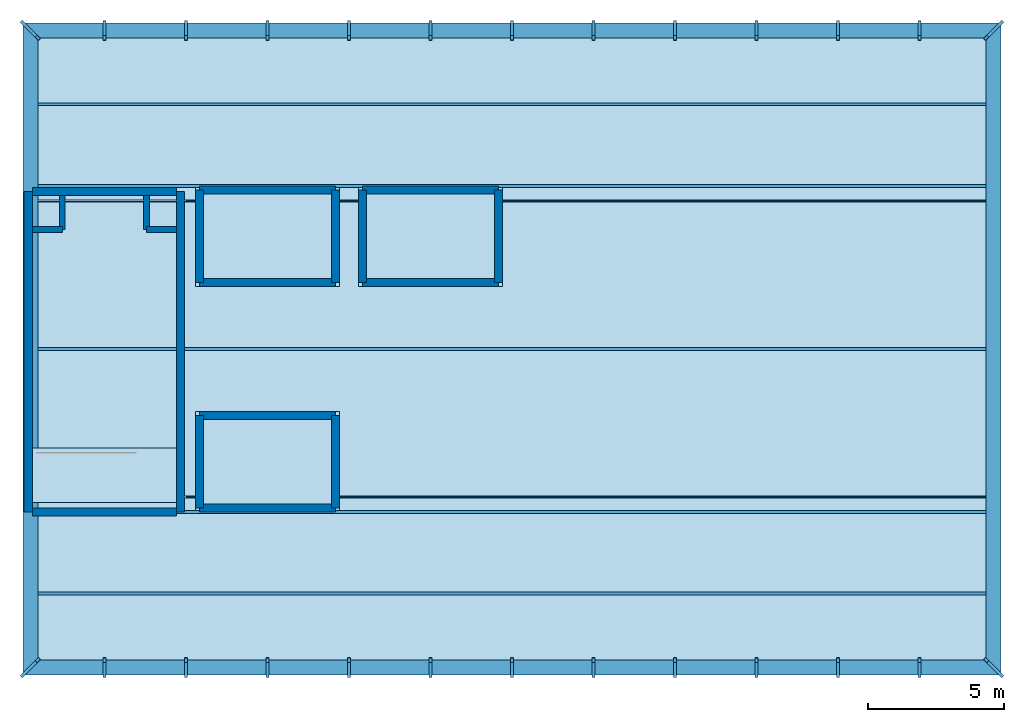
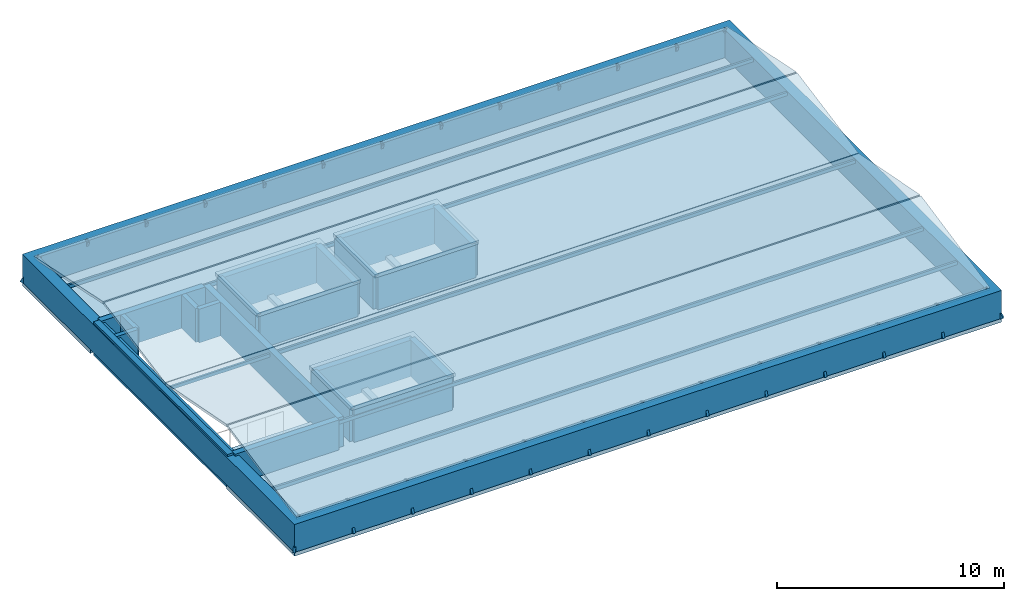
# One storey, part 1 of 2: 31 members, 20 walls, 9 slabs, 1 roof.
"""IFC4 building model written with IfcOpenShell, lengths in metres."""

from ifc_helpers import new_model, si_unit, direction, frame, frame_2d, origin, origin_2d, place, context, subcontext, project, spatial, polyline, rectangle, hollow_rectangle, outline, extrude, material, layer, layer_set, material_profile, profile_set, type_object, element, save


model = new_model("IFC4")

# Units and contexts
model_context = context("Model", 3, precision=1e-05, world=origin(), true_north=direction((0.0, 1.0)))
body_context = subcontext(model_context, "Body", "Model", "MODEL_VIEW")
ifc_project = project(units=[si_unit("LENGTHUNIT", "METRE"), si_unit("AREAUNIT", "SQUARE_METRE"), si_unit("VOLUMEUNIT", "CUBIC_METRE"), si_unit("PLANEANGLEUNIT", "RADIAN"), si_unit("MASSUNIT", "GRAM", prefix="KILO")], contexts=[model_context])

# Site, building, storey
site_placement = place(None, origin())
site = spatial("IfcSite", under=ifc_project, at=site_placement, CompositionType="ELEMENT")
building_placement = place(site_placement, origin())
building = spatial("IfcBuilding", under=site, at=building_placement, Name="Zlatovratsky Civic Hall", CompositionType="ELEMENT")
storey_placement = place(building_placement, frame((0.0, 0.0, 76.5)))
storey = spatial("IfcBuildingStorey", under=building, at=storey_placement, Name="ROOF", CompositionType="ELEMENT", Elevation=76.5)

# Members
ifc_material_1 = material(Name="Steel S355", Category="steel")
ifc_material_profile_1 = material_profile(ifc_material_1, hollow_rectangle(XDim=0.10009765625, YDim=0.179931640625, WallThickness=0.008056640625, at=origin_2d()), Name="RHS 180x100x8")
ifc_profile_set_1 = profile_set([ifc_material_profile_1], Name="Steel S355")
member_type_1 = type_object("IfcMemberType", Name="Collar_MansardTie_RHS180", PredefinedType="COLLAR", material=ifc_profile_set_1)
for number, where, z_axis, x_axis, name in (
    (1, (66.550048828125, 81.0, 1.3798828125), (1.0, 0.0, 0.0), (0.0, 1.0, 0.0), "MB-0079"),
    (2, (66.550048828125, 84.0, 1.3798828125), (1.0, 0.0, 0.0), (0.0, 1.0, 0.0), "MB-0080"),
    (3, (66.550048828125, 90.0, 1.3798828125), (1.0, 0.0, 0.0), (0.0, 1.0, 0.0), "MB-0081"),
    (4, (66.550048828125, 96.0, 1.3798828125), (1.0, 0.0, 0.0), (0.0, 1.0, 0.0), "MB-0082"),
    (5, (66.550048828125, 99.0, 1.3798828125), (1.0, 0.0, 0.0), (0.0, 1.0, 0.0), "MB-0083"),
):
    element("IfcMember", number, at=place(storey_placement, frame(where, z_axis=z_axis, x_axis=x_axis)), inside=storey, type_object=member_type_1, Name=name, PredefinedType="COLLAR", context=body_context, shape_type="SweptSolid", body=[
        extrude(hollow_rectangle(XDim=0.10009765625, YDim=0.179931640625, WallThickness=0.008056640625, at=origin_2d()), origin(), (0.0, 0.0, 1.0), 34.89990234375),
    ])
ifc_material_profile_2 = material_profile(ifc_material_1, hollow_rectangle(XDim=0.1201171875, YDim=0.199951171875, WallThickness=0.008056640625, at=origin_2d()), Name="RHS 200x120x8")
ifc_profile_set_2 = profile_set([ifc_material_profile_2], Name="Steel S355")
member_type_2 = type_object("IfcMemberType", Name="Rafter_MansardCrown_RHS200", PredefinedType="RAFTER", material=ifc_profile_set_2)
for number, where, z_axis, x_axis, name in (
    (6, (66.0, 78.0, 0.0), (0.325529249466, 0.325529249466, 0.887728232898), (-0.707106781187, 0.707106781187, 0.0), "MB-0053"),
    (7, (66.0, 102.0, 0.0), (0.325529249466, -0.325529249466, 0.887728232898), (0.707106781187, 0.707106781187, 0.0), "MB-0054"),
):
    element("IfcMember", number, at=place(storey_placement, frame(where, z_axis=z_axis, x_axis=x_axis)), inside=storey, type_object=member_type_2, Name=name, PredefinedType="RAFTER", context=body_context, shape_type="SweptSolid", body=[
        extrude(hollow_rectangle(XDim=0.1201171875, YDim=0.199951171875, WallThickness=0.008056640625, at=origin_2d()), origin(), (0.0, 0.0, 1.0), 1.689697265625),
    ])
for number, where, z_axis, x_axis, name in (
    (8, (69.0, 78.0, 0.0), (0.0, 0.344281589127, 0.93886643746), (-1.0, 0.0, 0.0), "MB-0055"),
    (9, (69.0, 102.0, 0.0), (0.0, -0.344281589127, 0.93886643746), (1.0, 0.0, 0.0), "MB-0056"),
    (10, (72.0, 78.0, 0.0), (0.0, 0.344281589127, 0.93886643746), (-1.0, 0.0, 0.0), "MB-0057"),
    (11, (72.0, 102.0, 0.0), (0.0, -0.344281589127, 0.93886643746), (1.0, 0.0, 0.0), "MB-0058"),
    (12, (75.0, 78.0, 0.0), (0.0, 0.344281589127, 0.93886643746), (-1.0, 0.0, 0.0), "MB-0059"),
    (13, (75.0, 102.0, 0.0), (0.0, -0.344281589127, 0.93886643746), (1.0, 0.0, 0.0), "MB-0060"),
    (14, (78.0, 78.0, 0.0), (0.0, 0.344281589127, 0.93886643746), (-1.0, 0.0, 0.0), "MB-0061"),
    (15, (78.0, 102.0, 0.0), (0.0, -0.344281589127, 0.93886643746), (1.0, 0.0, 0.0), "MB-0062"),
    (16, (81.0, 78.0, 0.0), (0.0, 0.344281589127, 0.93886643746), (-1.0, 0.0, 0.0), "MB-0063"),
    (17, (81.0, 102.0, 0.0), (0.0, -0.344281589127, 0.93886643746), (1.0, 0.0, 0.0), "MB-0064"),
    (18, (84.0, 78.0, 0.0), (0.0, 0.344281589127, 0.93886643746), (-1.0, 0.0, 0.0), "MB-0065"),
    (19, (84.0, 102.0, 0.0), (0.0, -0.344281589127, 0.93886643746), (1.0, 0.0, 0.0), "MB-0066"),
    (20, (87.0, 78.0, 0.0), (0.0, 0.344281589127, 0.93886643746), (-1.0, 0.0, 0.0), "MB-0067"),
    (21, (87.0, 102.0, 0.0), (0.0, -0.344281589127, 0.93886643746), (1.0, 0.0, 0.0), "MB-0068"),
    (22, (90.0, 78.0, 0.0), (0.0, 0.344281589127, 0.93886643746), (-1.0, 0.0, 0.0), "MB-0069"),
    (23, (90.0, 102.0, 0.0), (0.0, -0.344281589127, 0.93886643746), (1.0, 0.0, 0.0), "MB-0070"),
    (24, (93.0, 78.0, 0.0), (0.0, 0.344281589127, 0.93886643746), (-1.0, 0.0, 0.0), "MB-0071"),
    (25, (93.0, 102.0, 0.0), (0.0, -0.344281589127, 0.93886643746), (1.0, 0.0, 0.0), "MB-0072"),
    (26, (96.0, 78.0, 0.0), (0.0, 0.344281589127, 0.93886643746), (-1.0, 0.0, 0.0), "MB-0073"),
    (27, (96.0, 102.0, 0.0), (0.0, -0.344281589127, 0.93886643746), (1.0, 0.0, 0.0), "MB-0074"),
    (28, (99.0, 78.0, 0.0), (0.0, 0.344281589127, 0.93886643746), (-1.0, 0.0, 0.0), "MB-0075"),
    (29, (99.0, 102.0, 0.0), (0.0, -0.344281589127, 0.93886643746), (1.0, 0.0, 0.0), "MB-0076"),
):
    element("IfcMember", number, at=place(storey_placement, frame(where, z_axis=z_axis, x_axis=x_axis)), inside=storey, type_object=member_type_2, Name=name, PredefinedType="RAFTER", context=body_context, shape_type="SweptSolid", body=[
        extrude(hollow_rectangle(XDim=0.1201171875, YDim=0.199951171875, WallThickness=0.008056640625, at=origin_2d()), origin(), (0.0, 0.0, 1.0), 1.59765625),
    ])
for number, where, z_axis, x_axis, name in (
    (30, (102.0, 78.0, 0.0), (-0.325529249466, 0.325529249466, 0.887728232898), (-0.707106781187, -0.707106781187, 0.0), "MB-0077"),
    (31, (102.0, 102.0, 0.0), (-0.325529249466, -0.325529249466, 0.887728232898), (0.707106781187, -0.707106781187, 0.0), "MB-0078"),
):
    element("IfcMember", number, at=place(storey_placement, frame(where, z_axis=z_axis, x_axis=x_axis)), inside=storey, type_object=member_type_2, Name=name, PredefinedType="RAFTER", context=body_context, shape_type="SweptSolid", body=[
        extrude(hollow_rectangle(XDim=0.1201171875, YDim=0.199951171875, WallThickness=0.008056640625, at=origin_2d()), origin(), (0.0, 0.0, 1.0), 1.689697265625),
    ])

# Slabs
ifc_material_2 = material(Name="Concrete C35/45 (B40)", Category="concrete")
ifc_layer_1 = layer(ifc_material_2, 0.199951171875)
ifc_layer_set_1 = layer_set([ifc_layer_1], Name="Concrete C35/45 (B40)")
slab_type_1 = type_object("IfcSlabType", Name="Slab_ChamberCofferedRoof_200", PredefinedType="ROOF", material=ifc_layer_set_1)
slab_1_placement = place(storey_placement, frame((0.0, 0.0, -0.199951171875)))
element("IfcSlab", 32, at=slab_1_placement, inside=storey, type_object=slab_type_1, Name="SL-104", PredefinedType="ROOF", context=body_context, shape_type="SweptSolid", body=[
    extrude(outline(polyline([(66.0, 78.0), (102.0, 78.0), (102.0, 102.0), (66.0, 102.0), (66.0, 96.0), (72.0, 96.0), (72.0, 84.0), (66.0, 84.0), (66.0, 78.0)]), holes=[polyline([(72.64990234375, 84.300048828125), (74.85009765625, 84.300048828125), (74.85009765625, 87.39990234375), (72.64990234375, 87.39990234375), (72.64990234375, 84.300048828125)]), polyline([(75.14990234375, 84.300048828125), (77.35009765625, 84.300048828125), (77.35009765625, 87.39990234375), (75.14990234375, 87.39990234375), (75.14990234375, 84.300048828125)]), polyline([(72.64990234375, 92.60009765625), (74.85009765625, 92.60009765625), (74.85009765625, 95.699951171875), (72.64990234375, 95.699951171875), (72.64990234375, 92.60009765625)]), polyline([(75.14990234375, 92.60009765625), (77.35009765625, 92.60009765625), (77.35009765625, 95.699951171875), (75.14990234375, 95.699951171875), (75.14990234375, 92.60009765625)]), polyline([(78.64990234375, 92.60009765625), (80.85009765625, 92.60009765625), (80.85009765625, 95.699951171875), (78.64990234375, 95.699951171875), (78.64990234375, 92.60009765625)]), polyline([(81.14990234375, 92.60009765625), (83.35009765625, 92.60009765625), (83.35009765625, 95.699951171875), (81.14990234375, 95.699951171875), (81.14990234375, 92.60009765625)])]), origin(), (0.0, 0.0, 1.0), 0.199951171875),
])
slab_2_placement = place(storey_placement, frame((0.0, 0.0, 1.75)))
element("IfcSlab", 33, at=slab_2_placement, inside=storey, type_object=slab_type_1, Name="SL-106", PredefinedType="ROOF", context=body_context, shape_type="SweptSolid", body=[
    extrude(outline(polyline([(72.35009765625, 84.0), (77.64990234375, 84.0), (77.64990234375, 87.699951171875), (72.35009765625, 87.699951171875), (72.35009765625, 84.0)])), origin(), (0.0, 0.0, 1.0), 0.199951171875),
])
slab_3_placement = place(storey_placement, frame((0.0, 0.0, 1.75)))
element("IfcSlab", 34, at=slab_3_placement, inside=storey, type_object=slab_type_1, Name="SL-107", PredefinedType="ROOF", context=body_context, shape_type="SweptSolid", body=[
    extrude(outline(polyline([(72.35009765625, 92.300048828125), (77.64990234375, 92.300048828125), (77.64990234375, 96.0), (72.35009765625, 96.0), (72.35009765625, 92.300048828125)])), origin(), (0.0, 0.0, 1.0), 0.199951171875),
])
slab_4_placement = place(storey_placement, frame((0.0, 0.0, 1.75)))
element("IfcSlab", 35, at=slab_4_placement, inside=storey, type_object=slab_type_1, Name="SL-108", PredefinedType="ROOF", context=body_context, shape_type="SweptSolid", body=[
    extrude(outline(polyline([(78.35009765625, 92.300048828125), (83.64990234375, 92.300048828125), (83.64990234375, 96.0), (78.35009765625, 96.0), (78.35009765625, 92.300048828125)])), origin(), (0.0, 0.0, 1.0), 0.199951171875),
])
ifc_material_3 = material(Name="Concrete C30/37 (B35)", Category="concrete")
ifc_layer_2 = layer(ifc_material_3, 0.139892578125)
ifc_layer_set_2 = layer_set([ifc_layer_2], Name="Concrete C30/37 (B35)")
slab_type_2 = type_object("IfcSlabType", Name="Slab_MansardTerrassonRoof_140", PredefinedType="ROOF", material=ifc_layer_set_2)
for number, where, z_axis, x_axis, name in (
    (36, (66.35009765625, 78.39990234375, 1.52001953125), (0.0, -0.200427832369, 0.979708468888), (1.0, 0.0, 0.0), "SL-120"),
    (37, (101.64990234375, 101.60009765625, 1.52001953125), (0.0, 0.200427832369, 0.979708468888), (-1.0, 0.0, 0.0), "SL-121"),
):
    element("IfcSlab", number, at=place(storey_placement, frame(where, z_axis=z_axis, x_axis=x_axis)), inside=storey, type_object=slab_type_2, Name=name, PredefinedType="ROOF", context=body_context, shape_type="SweptSolid", body=[
        extrude(outline(polyline([(0.0, 0.0), (35.2998046875, 0.0), (35.2998046875, 6.236658777490713), (0.0, 6.236658777490713), (0.0, 0.0)])), origin(), (0.0, 0.0, -1.0), 0.139892578125),
    ])
for number, where, z_axis, x_axis, name in (
    (38, (101.64990234375, 84.590087890625, 2.77001953125), (0.0, 0.189127315634, 0.981952574456), (-1.0, 0.0, 0.0), "SL-122"),
    (39, (66.35009765625, 95.409912109375, 2.77001953125), (0.0, -0.189127315634, 0.981952574456), (1.0, 0.0, 0.0), "SL-123"),
):
    element("IfcSlab", number, at=place(storey_placement, frame(where, z_axis=z_axis, x_axis=x_axis)), inside=storey, type_object=slab_type_2, Name=name, PredefinedType="ROOF", context=body_context, shape_type="SweptSolid", body=[
        extrude(outline(polyline([(0.0, 0.0), (35.2998046875, 0.0), (35.2998046875, -5.499147804302283), (0.0, -5.499147804302283), (0.0, 0.0)])), origin(), (0.0, 0.0, -1.0), 0.139892578125),
    ])
ifc_layer_3 = layer(ifc_material_3, 0.179931640625)
ifc_layer_set_3 = layer_set([ifc_layer_3], Name="Concrete C30/37 (B35)")
slab_type_3 = type_object("IfcSlabType", Name="Slab_StairLanding_180", PredefinedType="LANDING", material=ifc_layer_set_3)
slab_5_placement = place(storey_placement, frame((0.0, 0.0, -0.179931640625)))
element("IfcSlab", 40, at=slab_5_placement, inside=storey, type_object=slab_type_3, Name="SL-105", PredefinedType="LANDING", context=body_context, shape_type="SweptSolid", body=[
    extrude(outline(polyline([(66.35009765625, 84.35009765625), (71.64990234375, 84.35009765625), (71.64990234375, 86.35009765625), (66.35009765625, 86.35009765625), (66.35009765625, 84.35009765625)])), origin(), (0.0, 0.0, 1.0), 0.179931640625),
])

# Walls
ifc_material_4 = material(Name="Acoustic ceramic blockwork", Category="masonry")
ifc_layer_4 = layer(ifc_material_4, 0.219970703125)
ifc_layer_set_4 = layer_set([ifc_layer_4], Name="Acoustic ceramic blockwork")
wall_type_1 = type_object("IfcWallType", Name="Wall_SanitaryWetCore_220", PredefinedType="PARTITIONING", material=ifc_layer_set_4)
wall_1_placement = place(storey_placement, frame((67.449951171875, 94.39990234375, -0.199951171875), z_axis=(0.0, 0.0, 1.0), x_axis=(0.0, 1.0, 0.0)))
element("IfcWall", 41, at=wall_1_placement, inside=storey, type_object=wall_type_1, Name="WL-5155", PredefinedType="PARTITIONING", context=body_context, shape_type="SweptSolid", body=[
    extrude(rectangle(XDim=1.25, YDim=0.219970703125, at=frame_2d((0.625, 0.0))), origin(), (0.0, 0.0, 1.0), 1.8115234375),
])
wall_2_placement = place(storey_placement, frame((66.35009765625, 94.39990234375, -0.199951171875), z_axis=(0.0, 0.0, 1.0), x_axis=(1.0, 0.0, 0.0)))
element("IfcWall", 42, at=wall_2_placement, inside=storey, type_object=wall_type_1, Name="WL-5156", PredefinedType="PARTITIONING", context=body_context, shape_type="SweptSolid", body=[
    extrude(rectangle(XDim=1.099853515625, YDim=0.219970703125, at=frame_2d((0.5498046875, 0.0))), origin(), (0.0, 0.0, 1.0), 1.8115234375),
])
wall_3_placement = place(storey_placement, frame((70.550048828125, 94.39990234375, -0.199951171875), z_axis=(0.0, 0.0, 1.0), x_axis=(0.0, 1.0, 0.0)))
element("IfcWall", 43, at=wall_3_placement, inside=storey, type_object=wall_type_1, Name="WL-5157", PredefinedType="PARTITIONING", context=body_context, shape_type="SweptSolid", body=[
    extrude(rectangle(XDim=1.25, YDim=0.219970703125, at=frame_2d((0.625, 0.0))), origin(), (0.0, 0.0, 1.0), 1.8115234375),
])
wall_4_placement = place(storey_placement, frame((70.550048828125, 94.39990234375, -0.199951171875), z_axis=(0.0, 0.0, 1.0), x_axis=(1.0, 0.0, 0.0)))
element("IfcWall", 44, at=wall_4_placement, inside=storey, type_object=wall_type_1, Name="WL-5158", PredefinedType="PARTITIONING", context=body_context, shape_type="SweptSolid", body=[
    extrude(rectangle(XDim=1.099853515625, YDim=0.219970703125, at=frame_2d((0.5498046875, 0.0))), origin(), (0.0, 0.0, 1.0), 1.8115234375),
])
ifc_layer_5 = layer(ifc_material_2, 0.300048828125)
ifc_layer_set_5 = layer_set([ifc_layer_5], Name="Concrete C35/45 (B40)")
wall_type_2 = type_object("IfcWallType", Name="Wall_StairAndLiftShaft_300", PredefinedType="SHEAR", material=ifc_layer_set_5)
for number, where, z_axis, x_axis, name in (
    (45, (66.35009765625, 84.0, -0.199951171875), (0.0, 0.0, 1.0), (1.0, 0.0, 0.0), "WL-5151"),
    (46, (66.35009765625, 95.800048828125, -0.199951171875), (0.0, 0.0, 1.0), (1.0, 0.0, 0.0), "WL-5152"),
):
    element("IfcWall", number, at=place(storey_placement, frame(where, z_axis=z_axis, x_axis=x_axis)), inside=storey, type_object=wall_type_2, Name=name, PredefinedType="SHEAR", context=body_context, shape_type="SweptSolid", body=[
        extrude(rectangle(XDim=5.2998046875, YDim=0.300048828125, at=frame_2d((2.64990234375, 0.0))), origin(), (0.0, 0.0, 1.0), 1.8115234375),
    ])
for number, where, z_axis, x_axis, name in (
    (47, (66.199951171875, 84.0, -0.199951171875), (0.0, 0.0, 1.0), (0.0, 1.0, 0.0), "WL-5153"),
    (48, (71.800048828125, 84.0, -0.199951171875), (0.0, 0.0, 1.0), (0.0, 1.0, 0.0), "WL-5154"),
):
    element("IfcWall", number, at=place(storey_placement, frame(where, z_axis=z_axis, x_axis=x_axis)), inside=storey, type_object=wall_type_2, Name=name, PredefinedType="SHEAR", context=body_context, shape_type="SweptSolid", body=[
        extrude(rectangle(XDim=11.800048828125, YDim=0.300048828125, at=frame_2d((5.89990234375, 0.0))), origin(), (0.0, 0.0, 1.0), 1.8115234375),
    ])
for number, where, z_axis, x_axis, name in (
    (49, (72.5, 84.14990234375, -0.199951171875), (0.0, 0.0, 1.0), (1.0, 0.0, 0.0), "WL-6009"),
    (50, (72.5, 87.550048828125, -0.199951171875), (0.0, 0.0, 1.0), (1.0, 0.0, 0.0), "WL-6010"),
):
    element("IfcWall", number, at=place(storey_placement, frame(where, z_axis=z_axis, x_axis=x_axis)), inside=storey, type_object=wall_type_2, Name=name, PredefinedType="SHEAR", context=body_context, shape_type="SweptSolid", body=[
        extrude(rectangle(XDim=5.0, YDim=0.300048828125, at=frame_2d((2.5, 0.0))), origin(), (0.0, 0.0, 1.0), 1.949951171875),
    ])
for number, where, z_axis, x_axis, name in (
    (51, (72.5, 84.14990234375, -0.199951171875), (0.0, 0.0, 1.0), (0.0, 1.0, 0.0), "WL-6011"),
    (52, (77.5, 84.14990234375, -0.199951171875), (0.0, 0.0, 1.0), (0.0, 1.0, 0.0), "WL-6012"),
):
    element("IfcWall", number, at=place(storey_placement, frame(where, z_axis=z_axis, x_axis=x_axis)), inside=storey, type_object=wall_type_2, Name=name, PredefinedType="SHEAR", context=body_context, shape_type="SweptSolid", body=[
        extrude(rectangle(XDim=3.400146484375, YDim=0.300048828125, at=frame_2d((1.7001953125, 0.0))), origin(), (0.0, 0.0, 1.0), 1.949951171875),
    ])
for number, where, z_axis, x_axis, name in (
    (53, (72.5, 92.449951171875, -0.199951171875), (0.0, 0.0, 1.0), (1.0, 0.0, 0.0), "WL-6013"),
    (54, (72.5, 95.85009765625, -0.199951171875), (0.0, 0.0, 1.0), (1.0, 0.0, 0.0), "WL-6014"),
):
    element("IfcWall", number, at=place(storey_placement, frame(where, z_axis=z_axis, x_axis=x_axis)), inside=storey, type_object=wall_type_2, Name=name, PredefinedType="SHEAR", context=body_context, shape_type="SweptSolid", body=[
        extrude(rectangle(XDim=5.0, YDim=0.300048828125, at=frame_2d((2.5, 0.0))), origin(), (0.0, 0.0, 1.0), 1.949951171875),
    ])
for number, where, z_axis, x_axis, name in (
    (55, (72.5, 92.449951171875, -0.199951171875), (0.0, 0.0, 1.0), (0.0, 1.0, 0.0), "WL-6015"),
    (56, (77.5, 92.449951171875, -0.199951171875), (0.0, 0.0, 1.0), (0.0, 1.0, 0.0), "WL-6016"),
):
    element("IfcWall", number, at=place(storey_placement, frame(where, z_axis=z_axis, x_axis=x_axis)), inside=storey, type_object=wall_type_2, Name=name, PredefinedType="SHEAR", context=body_context, shape_type="SweptSolid", body=[
        extrude(rectangle(XDim=3.400146484375, YDim=0.300048828125, at=frame_2d((1.7001953125, 0.0))), origin(), (0.0, 0.0, 1.0), 1.949951171875),
    ])
for number, where, z_axis, x_axis, name in (
    (57, (78.5, 92.449951171875, -0.199951171875), (0.0, 0.0, 1.0), (1.0, 0.0, 0.0), "WL-6017"),
    (58, (78.5, 95.85009765625, -0.199951171875), (0.0, 0.0, 1.0), (1.0, 0.0, 0.0), "WL-6018"),
):
    element("IfcWall", number, at=place(storey_placement, frame(where, z_axis=z_axis, x_axis=x_axis)), inside=storey, type_object=wall_type_2, Name=name, PredefinedType="SHEAR", context=body_context, shape_type="SweptSolid", body=[
        extrude(rectangle(XDim=5.0, YDim=0.300048828125, at=frame_2d((2.5, 0.0))), origin(), (0.0, 0.0, 1.0), 1.949951171875),
    ])
for number, where, z_axis, x_axis, name in (
    (59, (78.5, 92.449951171875, -0.199951171875), (0.0, 0.0, 1.0), (0.0, 1.0, 0.0), "WL-6019"),
    (60, (83.5, 92.449951171875, -0.199951171875), (0.0, 0.0, 1.0), (0.0, 1.0, 0.0), "WL-6020"),
):
    element("IfcWall", number, at=place(storey_placement, frame(where, z_axis=z_axis, x_axis=x_axis)), inside=storey, type_object=wall_type_2, Name=name, PredefinedType="SHEAR", context=body_context, shape_type="SweptSolid", body=[
        extrude(rectangle(XDim=3.400146484375, YDim=0.300048828125, at=frame_2d((1.7001953125, 0.0))), origin(), (0.0, 0.0, 1.0), 1.949951171875),
    ])

# Roof
ifc_material_5 = material(Name="Standing-seam patinated copper roofing")
ifc_layer_6 = layer(ifc_material_5, 0.080078125)
ifc_layer_set_6 = layer_set([ifc_layer_6], Name="Standing-seam patinated copper roofing")
roof_type = type_object("IfcRoofType", Name="Roof_MansardBrisisShell", PredefinedType="MANSARD_ROOF", material=ifc_layer_set_6)
roof_placement = place(storey_placement, origin())
element("IfcRoof", 61, at=roof_placement, inside=storey, type_object=roof_type, Name="MRF-L18", PredefinedType="MANSARD_ROOF", context=body_context, shape_type="SweptSolid", body=[
    extrude(outline(polyline([(66.0, 78.0), (102.0, 78.0), (102.0, 102.0), (66.0, 102.0), (66.0, 78.0)]), holes=[polyline([(66.550048828125, 78.550048828125), (101.449951171875, 78.550048828125), (101.449951171875, 101.449951171875), (66.550048828125, 101.449951171875), (66.550048828125, 78.550048828125)])]), origin(), (0.0, 0.0, 1.0), 1.5),
])

save(model, "model.ifc")
